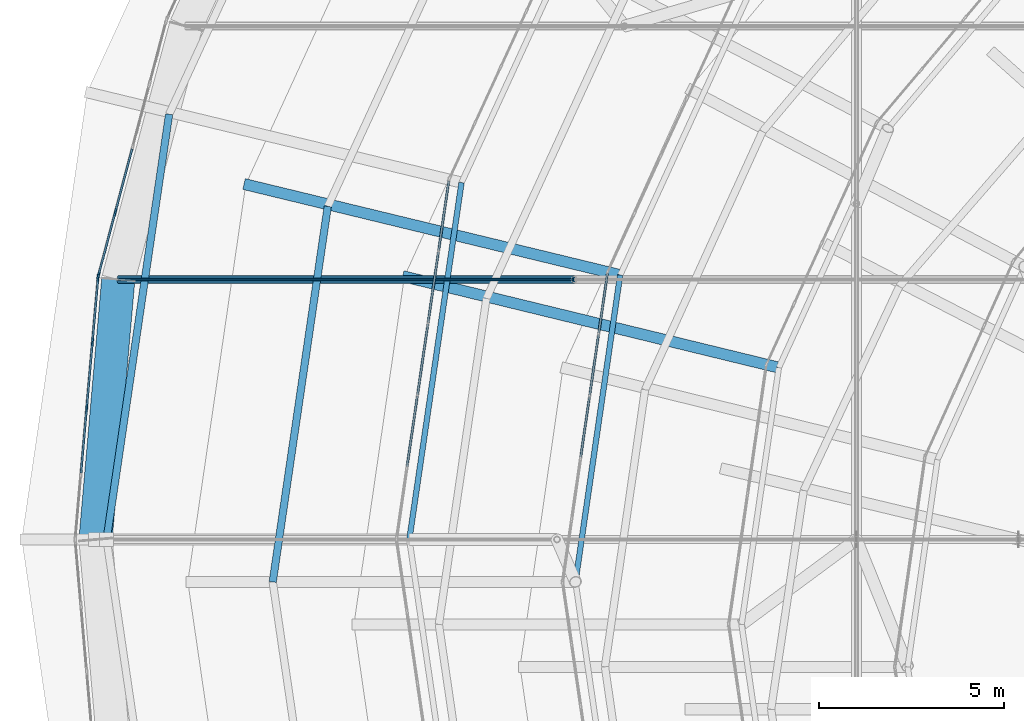
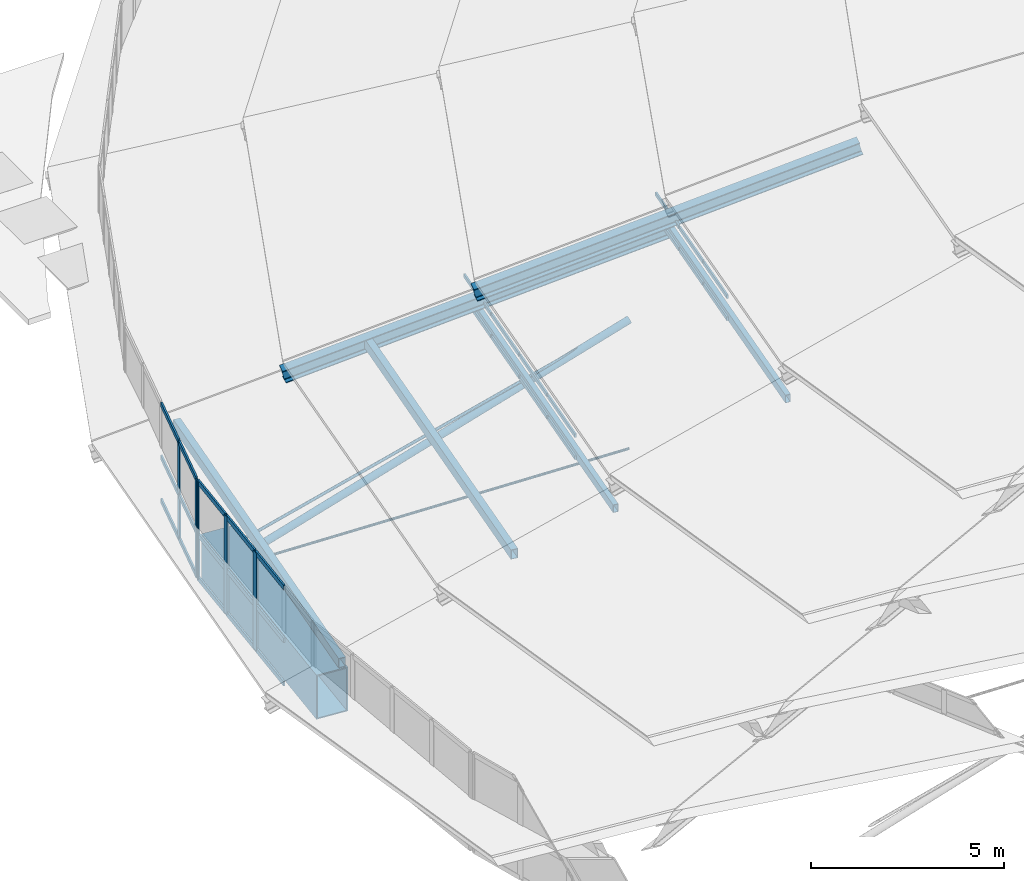
# One storey, part 42 of 173: 43 members, 1 beam, 4 elements without a shape of their own.
"""IFC4 building model written with IfcOpenShell, lengths in metres."""

from ifc_helpers import new_model, si_unit, direction, frame, origin, origin_2d, place, context, subcontext, project, spatial, rectangle, hollow_rectangle, circle, hollow_circle, i_section, extrude, material, material_profile, profile_set, type_object, element, aggregate, save


model = new_model("IFC4")

# Units and contexts
model_context = context("Model", 3, precision=1e-05, world=origin(), true_north=direction((0.0, 1.0)))
body_context = subcontext(model_context, "Body", "Model", "MODEL_VIEW")
ifc_project = project(units=[si_unit("LENGTHUNIT", "METRE"), si_unit("AREAUNIT", "SQUARE_METRE"), si_unit("VOLUMEUNIT", "CUBIC_METRE"), si_unit("PLANEANGLEUNIT", "RADIAN"), si_unit("MASSUNIT", "GRAM", prefix="KILO")], contexts=[model_context])

# Site, building, storey
site_placement = place(None, origin())
site = spatial("IfcSite", under=ifc_project, at=site_placement, CompositionType="ELEMENT")
building_placement = place(site_placement, origin())
building = spatial("IfcBuilding", under=site, at=building_placement, Name="Glasvene Arena", CompositionType="ELEMENT")
storey_placement = place(building_placement, frame((0.0, 0.0, 28.800048828125)))
storey = spatial("IfcBuildingStorey", under=building, at=storey_placement, Name="RF", CompositionType="ELEMENT", Elevation=28.800048828125)

# Beam
ifc_material_1 = material(Name="Steel S355J2", Category="steel")
ifc_material_profile_1 = material_profile(ifc_material_1, hollow_rectangle(XDim=0.89990234375, YDim=1.39990234375, WallThickness=0.034912109375, at=origin_2d()), Name="WBOX 900x1400x35")
ifc_profile_set_1 = profile_set([ifc_material_profile_1], Name="Steel S355J2")
beam_type = type_object("IfcBeamType", Name="BM-RING-BOX1400", PredefinedType="USERDEFINED", material=ifc_profile_set_1)
beam_placement = place(storey_placement, frame((42.615478515625, 80.03955078125, -0.699951171875), z_axis=(-0.087099233317, -0.996199640411, 0.0), x_axis=(0.996199640411, -0.087099233317, 0.0)))
element("IfcBeam", 1, at=beam_placement, inside=storey, type_object=beam_type, Name="Compression ring beam chord RB-20", ObjectType="RING BEAM", PredefinedType="USERDEFINED", context=body_context, shape_type="SweptSolid", body=[
    extrude(hollow_rectangle(XDim=0.89990234375, YDim=1.39990234375, WallThickness=0.034912109375, at=origin_2d()), origin(), (0.0, 0.0, 1.0), 7.06640625),
])

# Curtain wall, members
ifc_material_2 = material(Name="Low-emissivity laminated double glazing", Category="glass")
curtain_wall_type_1 = type_object("IfcCurtainWallType", Name="CW-DRUM-719x310", PredefinedType="USERDEFINED", material=ifc_material_2)
curtain_wall_1_placement = place(storey_placement, frame((43.924072265625, 87.07568359375, 0.0)))
curtain_wall_1 = element("IfcCurtainWall", 2, at=curtain_wall_1_placement, inside=storey, type_object=curtain_wall_type_1, Name="Crown compression-ring fascia curtain wall 19", ObjectType="CURTAIN WALL", PredefinedType="USERDEFINED")
ifc_material_3 = material(Name="Anodised architectural aluminium", Category="aluminium")
ifc_material_profile_2 = material_profile(ifc_material_3, rectangle(XDim=0.050048828125, YDim=0.199951171875, at=origin_2d()), Name="ALU MULLION 50x200")
ifc_profile_set_2 = profile_set([ifc_material_profile_2], Name="Anodised architectural aluminium")
member_type_1 = type_object("IfcMemberType", Name="CW-MUL-180", PredefinedType="MULLION", material=ifc_profile_set_2)
member_1_placement = place(storey_placement, frame((42.535400390625, 81.863037109375, -1.380126953125), z_axis=(0.0, 0.0, 1.0), x_axis=(0.966292374807, -0.257447172039, 0.0)))
member_1 = element("IfcMember", 3, at=member_1_placement, type_object=member_type_1, Name="CW-072 mullion 4", PredefinedType="MULLION", context=body_context, shape_type="SweptSolid", body=[
    extrude(rectangle(XDim=0.050048828125, YDim=0.199951171875, at=origin_2d()), origin(), (0.0, 0.0, 1.0), 3.10009765625),
])
member_2_placement = place(storey_placement, frame((42.078857421875, 80.149658203125, -1.380126953125), z_axis=(0.0, 0.0, 1.0), x_axis=(0.966292374807, -0.257447172039, 0.0)))
member_2 = element("IfcMember", 4, at=member_2_placement, type_object=member_type_1, Name="CW-072 mullion 5", PredefinedType="MULLION", context=body_context, shape_type="SweptSolid", body=[
    extrude(rectangle(XDim=0.050048828125, YDim=0.199951171875, at=origin_2d()), origin(), (0.0, 0.0, 1.0), 3.10009765625),
])

curtain_wall_type_2 = type_object("IfcCurtainWallType", Name="CW-DRUM-715x310", PredefinedType="USERDEFINED", material=ifc_material_2)
curtain_wall_2_placement = place(storey_placement, frame((42.072509765625, 80.12548828125, 0.0)))
curtain_wall_2 = element("IfcCurtainWall", 5, at=curtain_wall_2_placement, inside=storey, type_object=curtain_wall_type_2, Name="Crown compression-ring fascia curtain wall 20", ObjectType="CURTAIN WALL", PredefinedType="USERDEFINED")
member_3_placement = place(storey_placement, frame((42.0703125, 80.1005859375, -1.380126953125), z_axis=(0.0, 0.0, 1.0), x_axis=(0.996206938771, -0.0870157178, 0.0)))
member_3 = element("IfcMember", 6, at=member_3_placement, type_object=member_type_1, Name="CW-071 mullion 1", PredefinedType="MULLION", context=body_context, shape_type="SweptSolid", body=[
    extrude(rectangle(XDim=0.050048828125, YDim=0.199951171875, at=origin_2d()), origin(), (0.0, 0.0, 1.0), 3.10009765625),
])
member_4_placement = place(storey_placement, frame((41.916748046875, 78.34423828125, -1.380126953125), z_axis=(0.0, 0.0, 1.0), x_axis=(0.996206938771, -0.0870157178, 0.0)))
member_4 = element("IfcMember", 7, at=member_4_placement, type_object=member_type_1, Name="CW-071 mullion 2", PredefinedType="MULLION", context=body_context, shape_type="SweptSolid", body=[
    extrude(rectangle(XDim=0.050048828125, YDim=0.199951171875, at=origin_2d()), origin(), (0.0, 0.0, 1.0), 3.10009765625),
])
member_5_placement = place(storey_placement, frame((41.76123046875, 76.562744140625, -1.380126953125), z_axis=(0.0, 0.0, 1.0), x_axis=(0.996206938771, -0.0870157178, 0.0)))
member_5 = element("IfcMember", 8, at=member_5_placement, type_object=member_type_1, Name="CW-071 mullion 3", PredefinedType="MULLION", context=body_context, shape_type="SweptSolid", body=[
    extrude(rectangle(XDim=0.050048828125, YDim=0.199951171875, at=origin_2d()), origin(), (0.0, 0.0, 1.0), 3.10009765625),
])

curtain_wall_type_3 = type_object("IfcCurtainWallType", Name="CW-PET1-986x75", PredefinedType="USERDEFINED", material=ifc_material_2)
curtain_wall_3_placement = place(storey_placement, frame((51.575927734375, 82.757568359375, 0.0)))
curtain_wall_3 = element("IfcCurtainWall", 9, at=curtain_wall_3_placement, inside=storey, type_object=curtain_wall_type_3, Name="Petal ring 1-2 clerestory curtain wall 12", ObjectType="CURTAIN WALL", PredefinedType="USERDEFINED")
ifc_material_profile_3 = material_profile(ifc_material_3, rectangle(XDim=0.050048828125, YDim=0.1201171875, at=origin_2d()), Name="ALU TRANSOM 50x120")
ifc_profile_set_3 = profile_set([ifc_material_profile_3], Name="Anodised architectural aluminium")
member_type_2 = type_object("IfcMemberType", Name="CW-TRN-120", PredefinedType="USERDEFINED", material=ifc_profile_set_3)
member_6_placement = place(storey_placement, frame((51.56884765625, 82.7080078125, 2.60498046875), z_axis=(-0.144645532011, -0.989483537038, 0.0), x_axis=(0.989483537038, -0.144645532011, 0.0)))
member_6 = element("IfcMember", 10, at=member_6_placement, type_object=member_type_2, Name="CW-081 transom 1.1", ObjectType="TRANSOM", PredefinedType="USERDEFINED", context=body_context, shape_type="SweptSolid", body=[
    extrude(rectangle(XDim=0.050048828125, YDim=0.1201171875, at=origin_2d()), origin(), (0.0, 0.0, 1.0), 1.897216796875),
])
member_7_placement = place(storey_placement, frame((51.56884765625, 82.7080078125, 3.304931640625), z_axis=(-0.144645532011, -0.989483537038, 0.0), x_axis=(0.989483537038, -0.144645532011, 0.0)))
member_7 = element("IfcMember", 11, at=member_7_placement, type_object=member_type_2, Name="CW-081 transom 1.2", ObjectType="TRANSOM", PredefinedType="USERDEFINED", context=body_context, shape_type="SweptSolid", body=[
    extrude(rectangle(XDim=0.050048828125, YDim=0.1201171875, at=origin_2d()), origin(), (0.0, 0.0, 1.0), 1.897216796875),
])
member_8_placement = place(storey_placement, frame((51.287109375, 80.78125, 2.60498046875), z_axis=(-0.144532293107, -0.989500084007, 0.0), x_axis=(0.989500084007, -0.144532293107, 0.0)))
member_8 = element("IfcMember", 12, at=member_8_placement, type_object=member_type_2, Name="CW-081 transom 2.1", ObjectType="TRANSOM", PredefinedType="USERDEFINED", context=body_context, shape_type="SweptSolid", body=[
    extrude(rectangle(XDim=0.050048828125, YDim=0.1201171875, at=origin_2d()), origin(), (0.0, 0.0, 1.0), 1.92236328125),
])
member_9_placement = place(storey_placement, frame((51.287109375, 80.78125, 3.304931640625), z_axis=(-0.144532293107, -0.989500084007, 0.0), x_axis=(0.989500084007, -0.144532293107, 0.0)))
member_9 = element("IfcMember", 13, at=member_9_placement, type_object=member_type_2, Name="CW-081 transom 2.2", ObjectType="TRANSOM", PredefinedType="USERDEFINED", context=body_context, shape_type="SweptSolid", body=[
    extrude(rectangle(XDim=0.050048828125, YDim=0.1201171875, at=origin_2d()), origin(), (0.0, 0.0, 1.0), 1.92236328125),
])
member_10_placement = place(storey_placement, frame((51.001953125, 78.829833984375, 2.60498046875), z_axis=(-0.144532293107, -0.989500084007, 0.0), x_axis=(0.989500084007, -0.144532293107, 0.0)))
member_10 = element("IfcMember", 14, at=member_10_placement, type_object=member_type_2, Name="CW-081 transom 3.1", ObjectType="TRANSOM", PredefinedType="USERDEFINED", context=body_context, shape_type="SweptSolid", body=[
    extrude(rectangle(XDim=0.050048828125, YDim=0.1201171875, at=origin_2d()), origin(), (0.0, 0.0, 1.0), 1.92236328125),
])
member_11_placement = place(storey_placement, frame((51.001953125, 78.829833984375, 3.304931640625), z_axis=(-0.144532293107, -0.989500084007, 0.0), x_axis=(0.989500084007, -0.144532293107, 0.0)))
member_11 = element("IfcMember", 15, at=member_11_placement, type_object=member_type_2, Name="CW-081 transom 3.2", ObjectType="TRANSOM", PredefinedType="USERDEFINED", context=body_context, shape_type="SweptSolid", body=[
    extrude(rectangle(XDim=0.050048828125, YDim=0.1201171875, at=origin_2d()), origin(), (0.0, 0.0, 1.0), 1.92236328125),
])
member_12_placement = place(storey_placement, frame((50.716796875, 76.878173828125, 2.60498046875), z_axis=(-0.144674822999, -0.989479254755, 0.0), x_axis=(0.989479254755, -0.144674822999, 0.0)))
member_12 = element("IfcMember", 16, at=member_12_placement, type_object=member_type_2, Name="CW-081 transom 4.1", ObjectType="TRANSOM", PredefinedType="USERDEFINED", context=body_context, shape_type="SweptSolid", body=[
    extrude(rectangle(XDim=0.050048828125, YDim=0.1201171875, at=origin_2d()), origin(), (0.0, 0.0, 1.0), 1.922119140625),
])
member_13_placement = place(storey_placement, frame((50.716796875, 76.878173828125, 3.304931640625), z_axis=(-0.144674822999, -0.989479254755, 0.0), x_axis=(0.989479254755, -0.144674822999, 0.0)))
member_13 = element("IfcMember", 17, at=member_13_placement, type_object=member_type_2, Name="CW-081 transom 4.2", ObjectType="TRANSOM", PredefinedType="USERDEFINED", context=body_context, shape_type="SweptSolid", body=[
    extrude(rectangle(XDim=0.050048828125, YDim=0.1201171875, at=origin_2d()), origin(), (0.0, 0.0, 1.0), 1.922119140625),
])
aggregate(curtain_wall_3, [member_6, member_7, member_8, member_9, member_10, member_11, member_12, member_13])

curtain_wall_type_4 = type_object("IfcCurtainWallType", Name="CW-PET2-849x75", PredefinedType="USERDEFINED", material=ifc_material_2)
curtain_wall_4_placement = place(storey_placement, frame((55.873291015625, 80.248779296875, 0.0)))
curtain_wall_4 = element("IfcCurtainWall", 18, at=curtain_wall_4_placement, inside=storey, type_object=curtain_wall_type_4, Name="Petal ring 2-3 clerestory curtain wall 12", ObjectType="CURTAIN WALL", PredefinedType="USERDEFINED")
member_14_placement = place(storey_placement, frame((55.8662109375, 80.19921875, 5.204833984375), z_axis=(-0.144159545441, -0.989554458056, 0.0), x_axis=(0.989554458056, -0.144159545441, 0.0)))
member_14 = element("IfcMember", 19, at=member_14_placement, type_object=member_type_2, Name="CW-087 transom 1.1", ObjectType="TRANSOM", PredefinedType="USERDEFINED", context=body_context, shape_type="SweptSolid", body=[
    extrude(rectangle(XDim=0.050048828125, YDim=0.1201171875, at=origin_2d()), origin(), (0.0, 0.0, 1.0), 1.622314453125),
])
member_15_placement = place(storey_placement, frame((55.8662109375, 80.19921875, 5.905029296875), z_axis=(-0.144159545441, -0.989554458056, 0.0), x_axis=(0.989554458056, -0.144159545441, 0.0)))
member_15 = element("IfcMember", 20, at=member_15_placement, type_object=member_type_2, Name="CW-087 transom 1.2", ObjectType="TRANSOM", PredefinedType="USERDEFINED", context=body_context, shape_type="SweptSolid", body=[
    extrude(rectangle(XDim=0.050048828125, YDim=0.1201171875, at=origin_2d()), origin(), (0.0, 0.0, 1.0), 1.622314453125),
])
member_16_placement = place(storey_placement, frame((55.625, 78.544189453125, 5.204833984375), z_axis=(-0.144055952792, -0.989569544027, 0.0), x_axis=(0.989569544027, -0.144055952792, 0.0)))
member_16 = element("IfcMember", 21, at=member_16_placement, type_object=member_type_2, Name="CW-087 transom 2.1", ObjectType="TRANSOM", PredefinedType="USERDEFINED", context=body_context, shape_type="SweptSolid", body=[
    extrude(rectangle(XDim=0.050048828125, YDim=0.1201171875, at=origin_2d()), origin(), (0.0, 0.0, 1.0), 1.647216796875),
])
member_17_placement = place(storey_placement, frame((55.625, 78.544189453125, 5.905029296875), z_axis=(-0.144055952792, -0.989569544027, 0.0), x_axis=(0.989569544027, -0.144055952792, 0.0)))
member_17 = element("IfcMember", 22, at=member_17_placement, type_object=member_type_2, Name="CW-087 transom 2.2", ObjectType="TRANSOM", PredefinedType="USERDEFINED", context=body_context, shape_type="SweptSolid", body=[
    extrude(rectangle(XDim=0.050048828125, YDim=0.1201171875, at=origin_2d()), origin(), (0.0, 0.0, 1.0), 1.647216796875),
])
member_18_placement = place(storey_placement, frame((55.38037109375, 76.864501953125, 5.204833984375), z_axis=(-0.144179933735, -0.989551487649, 0.0), x_axis=(0.989551487649, -0.144179933735, 0.0)))
member_18 = element("IfcMember", 23, at=member_18_placement, type_object=member_type_2, Name="CW-087 transom 3.1", ObjectType="TRANSOM", PredefinedType="USERDEFINED", context=body_context, shape_type="SweptSolid", body=[
    extrude(rectangle(XDim=0.050048828125, YDim=0.1201171875, at=origin_2d()), origin(), (0.0, 0.0, 1.0), 1.647705078125),
])
member_19_placement = place(storey_placement, frame((55.38037109375, 76.864501953125, 5.905029296875), z_axis=(-0.144179933735, -0.989551487649, 0.0), x_axis=(0.989551487649, -0.144179933735, 0.0)))
member_19 = element("IfcMember", 24, at=member_19_placement, type_object=member_type_2, Name="CW-087 transom 3.2", ObjectType="TRANSOM", PredefinedType="USERDEFINED", context=body_context, shape_type="SweptSolid", body=[
    extrude(rectangle(XDim=0.050048828125, YDim=0.1201171875, at=origin_2d()), origin(), (0.0, 0.0, 1.0), 1.647705078125),
])
aggregate(curtain_wall_4, [member_14, member_15, member_16, member_17, member_18, member_19])

# Member
ifc_material_profile_4 = material_profile(ifc_material_3, rectangle(XDim=0.050048828125, YDim=0.14990234375, at=origin_2d()), Name="ALU TRANSOM 50x150")
ifc_profile_set_4 = profile_set([ifc_material_profile_4], Name="Anodised architectural aluminium")
member_type_3 = type_object("IfcMemberType", Name="CW-TRN-150", PredefinedType="USERDEFINED", material=ifc_profile_set_4)
member_20_placement = place(storey_placement, frame((42.99169921875, 83.576416015625, -1.35498046875), z_axis=(-0.257393172293, -0.966306760225, 0.0), x_axis=(0.966306760225, -0.257393172293, 0.0)))
member_20 = element("IfcMember", 25, at=member_20_placement, type_object=member_type_3, Name="CW-072 transom 3.1", ObjectType="TRANSOM", PredefinedType="USERDEFINED", context=body_context, shape_type="SweptSolid", body=[
    extrude(rectangle(XDim=0.050048828125, YDim=0.14990234375, at=origin_2d()), origin(), (0.0, 0.0, 1.0), 1.748046875),
])

member_21_placement = place(storey_placement, frame((42.99169921875, 83.576416015625, 0.02001953125), z_axis=(-0.257393172293, -0.966306760225, 0.0), x_axis=(0.966306760225, -0.257393172293, 0.0)))
member_21 = element("IfcMember", 26, at=member_21_placement, type_object=member_type_3, Name="CW-072 transom 3.2", ObjectType="TRANSOM", PredefinedType="USERDEFINED", context=body_context, shape_type="SweptSolid", body=[
    extrude(rectangle(XDim=0.050048828125, YDim=0.14990234375, at=origin_2d()), origin(), (0.0, 0.0, 1.0), 1.748046875),
])

member_22_placement = place(storey_placement, frame((42.99169921875, 83.576416015625, 1.695068359375), z_axis=(-0.257393172293, -0.966306760225, 0.0), x_axis=(0.966306760225, -0.257393172293, 0.0)))
member_22 = element("IfcMember", 27, at=member_22_placement, type_object=member_type_3, Name="CW-072 transom 3.3", ObjectType="TRANSOM", PredefinedType="USERDEFINED", context=body_context, shape_type="SweptSolid", body=[
    extrude(rectangle(XDim=0.050048828125, YDim=0.14990234375, at=origin_2d()), origin(), (0.0, 0.0, 1.0), 1.748046875),
])

member_23_placement = place(storey_placement, frame((42.52880859375, 81.8388671875, -1.35498046875), z_axis=(-0.257442179184, -0.966293705028, 0.0), x_axis=(0.966293705028, -0.257442179184, 0.0)))
member_23 = element("IfcMember", 28, at=member_23_placement, type_object=member_type_3, Name="CW-072 transom 4.1", ObjectType="TRANSOM", PredefinedType="USERDEFINED", context=body_context, shape_type="SweptSolid", body=[
    extrude(rectangle(XDim=0.050048828125, YDim=0.14990234375, at=origin_2d()), origin(), (0.0, 0.0, 1.0), 1.72314453125),
])

member_24_placement = place(storey_placement, frame((42.52880859375, 81.8388671875, 0.02001953125), z_axis=(-0.257442179184, -0.966293705028, 0.0), x_axis=(0.966293705028, -0.257442179184, 0.0)))
member_24 = element("IfcMember", 29, at=member_24_placement, type_object=member_type_3, Name="CW-072 transom 4.2", ObjectType="TRANSOM", PredefinedType="USERDEFINED", context=body_context, shape_type="SweptSolid", body=[
    extrude(rectangle(XDim=0.050048828125, YDim=0.14990234375, at=origin_2d()), origin(), (0.0, 0.0, 1.0), 1.72314453125),
])

member_25_placement = place(storey_placement, frame((42.52880859375, 81.8388671875, 1.695068359375), z_axis=(-0.257442179184, -0.966293705028, 0.0), x_axis=(0.966293705028, -0.257442179184, 0.0)))
member_25 = element("IfcMember", 30, at=member_25_placement, type_object=member_type_3, Name="CW-072 transom 4.3", ObjectType="TRANSOM", PredefinedType="USERDEFINED", context=body_context, shape_type="SweptSolid", body=[
    extrude(rectangle(XDim=0.050048828125, YDim=0.14990234375, at=origin_2d()), origin(), (0.0, 0.0, 1.0), 1.72314453125),
])

aggregate(curtain_wall_1, [member_1, member_2, member_20, member_21, member_22, member_23, member_24, member_25])

member_26_placement = place(storey_placement, frame((42.068115234375, 80.07568359375, -1.35498046875), z_axis=(-0.087078552921, -0.996201448313, 0.0), x_axis=(0.996201448313, -0.087078552921, 0.0)))
member_26 = element("IfcMember", 31, at=member_26_placement, type_object=member_type_3, Name="CW-071 transom 1.1", ObjectType="TRANSOM", PredefinedType="USERDEFINED", context=body_context, shape_type="SweptSolid", body=[
    extrude(rectangle(XDim=0.050048828125, YDim=0.14990234375, at=origin_2d()), origin(), (0.0, 0.0, 1.0), 1.713134765625),
])

member_27_placement = place(storey_placement, frame((42.068115234375, 80.07568359375, 0.02001953125), z_axis=(-0.087078552921, -0.996201448313, 0.0), x_axis=(0.996201448313, -0.087078552921, 0.0)))
member_27 = element("IfcMember", 32, at=member_27_placement, type_object=member_type_3, Name="CW-071 transom 1.2", ObjectType="TRANSOM", PredefinedType="USERDEFINED", context=body_context, shape_type="SweptSolid", body=[
    extrude(rectangle(XDim=0.050048828125, YDim=0.14990234375, at=origin_2d()), origin(), (0.0, 0.0, 1.0), 1.713134765625),
])

member_28_placement = place(storey_placement, frame((42.068115234375, 80.07568359375, 1.695068359375), z_axis=(-0.087078552921, -0.996201448313, 0.0), x_axis=(0.996201448313, -0.087078552921, 0.0)))
member_28 = element("IfcMember", 33, at=member_28_placement, type_object=member_type_3, Name="CW-071 transom 1.3", ObjectType="TRANSOM", PredefinedType="USERDEFINED", context=body_context, shape_type="SweptSolid", body=[
    extrude(rectangle(XDim=0.050048828125, YDim=0.14990234375, at=origin_2d()), origin(), (0.0, 0.0, 1.0), 1.713134765625),
])

member_29_placement = place(storey_placement, frame((41.91455078125, 78.3193359375, -1.35498046875), z_axis=(-0.086938708161, -0.996213662335, 0.0), x_axis=(0.996213662335, -0.086938708161, 0.0)))
member_29 = element("IfcMember", 34, at=member_29_placement, type_object=member_type_3, Name="CW-071 transom 2.1", ObjectType="TRANSOM", PredefinedType="USERDEFINED", context=body_context, shape_type="SweptSolid", body=[
    extrude(rectangle(XDim=0.050048828125, YDim=0.14990234375, at=origin_2d()), origin(), (0.0, 0.0, 1.0), 1.73828125),
])

member_30_placement = place(storey_placement, frame((41.91455078125, 78.3193359375, 0.02001953125), z_axis=(-0.086938708161, -0.996213662335, 0.0), x_axis=(0.996213662335, -0.086938708161, 0.0)))
member_30 = element("IfcMember", 35, at=member_30_placement, type_object=member_type_3, Name="CW-071 transom 2.2", ObjectType="TRANSOM", PredefinedType="USERDEFINED", context=body_context, shape_type="SweptSolid", body=[
    extrude(rectangle(XDim=0.050048828125, YDim=0.14990234375, at=origin_2d()), origin(), (0.0, 0.0, 1.0), 1.73828125),
])

member_31_placement = place(storey_placement, frame((41.91455078125, 78.3193359375, 1.695068359375), z_axis=(-0.086938708161, -0.996213662335, 0.0), x_axis=(0.996213662335, -0.086938708161, 0.0)))
member_31 = element("IfcMember", 36, at=member_31_placement, type_object=member_type_3, Name="CW-071 transom 2.3", ObjectType="TRANSOM", PredefinedType="USERDEFINED", context=body_context, shape_type="SweptSolid", body=[
    extrude(rectangle(XDim=0.050048828125, YDim=0.14990234375, at=origin_2d()), origin(), (0.0, 0.0, 1.0), 1.73828125),
])

member_32_placement = place(storey_placement, frame((41.759033203125, 76.537841796875, -1.35498046875), z_axis=(-0.087090279525, -0.996200423214, 0.0), x_axis=(0.996200423214, -0.087090279525, 0.0)))
member_32 = element("IfcMember", 37, at=member_32_placement, type_object=member_type_3, Name="CW-071 transom 3.1", ObjectType="TRANSOM", PredefinedType="USERDEFINED", context=body_context, shape_type="SweptSolid", body=[
    extrude(rectangle(XDim=0.050048828125, YDim=0.14990234375, at=origin_2d()), origin(), (0.0, 0.0, 1.0), 1.738037109375),
])

member_33_placement = place(storey_placement, frame((41.759033203125, 76.537841796875, 0.02001953125), z_axis=(-0.087090279525, -0.996200423214, 0.0), x_axis=(0.996200423214, -0.087090279525, 0.0)))
member_33 = element("IfcMember", 38, at=member_33_placement, type_object=member_type_3, Name="CW-071 transom 3.2", ObjectType="TRANSOM", PredefinedType="USERDEFINED", context=body_context, shape_type="SweptSolid", body=[
    extrude(rectangle(XDim=0.050048828125, YDim=0.14990234375, at=origin_2d()), origin(), (0.0, 0.0, 1.0), 1.738037109375),
])

member_34_placement = place(storey_placement, frame((41.759033203125, 76.537841796875, 1.695068359375), z_axis=(-0.087090279525, -0.996200423214, 0.0), x_axis=(0.996200423214, -0.087090279525, 0.0)))
member_34 = element("IfcMember", 39, at=member_34_placement, type_object=member_type_3, Name="CW-071 transom 3.3", ObjectType="TRANSOM", PredefinedType="USERDEFINED", context=body_context, shape_type="SweptSolid", body=[
    extrude(rectangle(XDim=0.050048828125, YDim=0.14990234375, at=origin_2d()), origin(), (0.0, 0.0, 1.0), 1.738037109375),
])

aggregate(curtain_wall_2, [member_3, member_4, member_5, member_26, member_27, member_28, member_29, member_30, member_31, member_32, member_33, member_34])

# Members
ifc_material_4 = material(Name="High-strength steel spiral strand S460", Category="steel")
ifc_material_profile_5 = material_profile(ifc_material_4, circle(Radius=0.03759765625, at=origin_2d()), Name="LCSS D75")
ifc_profile_set_5 = profile_set([ifc_material_profile_5], Name="High-strength steel spiral strand S460")
member_type_4 = type_object("IfcMemberType", Name="MB-CABLE-75", PredefinedType="USERDEFINED", material=ifc_profile_set_5)
member_35_placement = place(storey_placement, frame((42.615478515625, 80.03955078125, -1.320068359375), z_axis=(0.999385261069, 0.0, -0.035058521913), x_axis=(0.0, 1.0, 0.0)))
element("IfcMember", 40, at=member_35_placement, inside=storey, type_object=member_type_4, Name="Lower stabilization roof cable EW05-01", ObjectType="ROOF CABLE", PredefinedType="USERDEFINED", context=body_context, shape_type="SweptSolid", body=[
    extrude(circle(Radius=0.03759765625, at=origin_2d()), origin(), (0.0, 0.0, 1.0), 12.353759765625),
])
ifc_material_profile_6 = material_profile(ifc_material_4, circle(Radius=0.044921875, at=origin_2d()), Name="LCSS D90")
ifc_profile_set_6 = profile_set([ifc_material_profile_6], Name="High-strength steel spiral strand S460")
member_type_5 = type_object("IfcMemberType", Name="MB-CABLE-90", PredefinedType="USERDEFINED", material=ifc_profile_set_6)
member_36_placement = place(storey_placement, frame((42.615478515625, 80.03955078125, -0.780029296875), z_axis=(0.96972824752, 0.0, 0.24418666213), x_axis=(0.0, 1.0, 0.0)))
element("IfcMember", 41, at=member_36_placement, inside=storey, type_object=member_type_5, Name="Upper lens roof cable EW05-01", ObjectType="ROOF CABLE", PredefinedType="USERDEFINED", context=body_context, shape_type="SweptSolid", body=[
    extrude(circle(Radius=0.044921875, at=origin_2d()), origin(), (0.0, 0.0, 1.0), 12.731689453125),
])
ifc_material_profile_7 = material_profile(ifc_material_1, i_section(OverallWidth=0.300048828125, OverallDepth=0.39990234375, WebThickness=0.013427734375, FlangeThickness=0.02392578125, FilletRadius=0.027099609375, at=origin_2d()), Name="HEB 400")
ifc_profile_set_7 = profile_set([ifc_material_profile_7], Name="Steel S355J2")
member_type_6 = type_object("IfcMemberType", Name="MB-CHORD-HEB400", PredefinedType="CHORD", material=ifc_profile_set_7)
member_37_placement = place(storey_placement, frame((46.069091796875, 82.616943359375, 2.14990234375), z_axis=(0.944146379395, -0.228547879043, 0.237388881921), x_axis=(0.235273235128, 0.97192926946, 0.0)))
element("IfcMember", 42, at=member_37_placement, inside=storey, type_object=member_type_6, Name="Petal ring 2 radial rib 12", PredefinedType="CHORD", context=body_context, shape_type="SweptSolid", body=[
    extrude(i_section(OverallWidth=0.300048828125, OverallDepth=0.39990234375, WebThickness=0.013427734375, FlangeThickness=0.02392578125, FilletRadius=0.027099609375, at=origin_2d()), origin(), (0.0, 0.0, 1.0), 10.7421875),
])
member_38_placement = place(storey_placement, frame((50.366455078125, 80.12109375, 4.75), z_axis=(0.942863727983, -0.229326828452, 0.241696496059), x_axis=(0.236333673575, 0.971671958397, 0.0)))
element("IfcMember", 43, at=member_38_placement, inside=storey, type_object=member_type_6, Name="Petal ring 3 radial rib 12", PredefinedType="CHORD", context=body_context, shape_type="SweptSolid", body=[
    extrude(i_section(OverallWidth=0.300048828125, OverallDepth=0.39990234375, WebThickness=0.013427734375, FlangeThickness=0.02392578125, FilletRadius=0.027099609375, at=origin_2d()), origin(), (0.0, 0.0, 1.0), 10.756591796875),
])
ifc_material_profile_8 = material_profile(ifc_material_1, hollow_rectangle(XDim=0.14990234375, YDim=0.25, WallThickness=0.010009765625, at=origin_2d()), Name="RHS 250x150x10.0")
ifc_profile_set_8 = profile_set([ifc_material_profile_8], Name="Steel S355J2")
member_type_7 = type_object("IfcMemberType", Name="MB-PURLIN-RHS250", PredefinedType="PURLIN", material=ifc_profile_set_8)
member_39_placement = place(storey_placement, frame((51.9140625, 82.6669921875, 2.181884765625), z_axis=(-0.14473712176, -0.989470143857, 0.0), x_axis=(0.989470143857, -0.14473712176, 0.0)))
element("IfcMember", 44, at=member_39_placement, inside=storey, type_object=member_type_7, Name="Petal ring 1 ridge purlin 12", PredefinedType="PURLIN", context=body_context, shape_type="SweptSolid", body=[
    extrude(hollow_rectangle(XDim=0.14990234375, YDim=0.25, WallThickness=0.010009765625, at=origin_2d()), origin(), (0.0, 0.0, 1.0), 9.769775390625),
])
member_40_placement = place(storey_placement, frame((56.211181640625, 80.161865234375, 4.781982421875), z_axis=(-0.144196014278, -0.989549144543, 0.0), x_axis=(0.989549144543, -0.144196014278, 0.0)))
element("IfcMember", 45, at=member_40_placement, inside=storey, type_object=member_type_7, Name="Petal ring 2 ridge purlin 12", PredefinedType="PURLIN", context=body_context, shape_type="SweptSolid", body=[
    extrude(hollow_rectangle(XDim=0.14990234375, YDim=0.25, WallThickness=0.010009765625, at=origin_2d()), origin(), (0.0, 0.0, 1.0), 8.399658203125),
])
ifc_material_profile_9 = material_profile(ifc_material_1, hollow_rectangle(XDim=0.199951171875, YDim=0.300048828125, WallThickness=0.012451171875, at=origin_2d()), Name="RHS 300x200x12.5")
ifc_profile_set_9 = profile_set([ifc_material_profile_9], Name="Steel S355J2")
member_type_8 = type_object("IfcMemberType", Name="MB-PURLIN-RHS300", PredefinedType="PURLIN", material=ifc_profile_set_9)
member_41_placement = place(storey_placement, frame((43.993408203125, 84.517333984375, 0.16748046875), z_axis=(-0.145463198045, -0.989363663177, 0.0), x_axis=(0.989363663177, -0.145463198045, 0.0)))
element("IfcMember", 46, at=member_41_placement, inside=storey, type_object=member_type_8, Name="Petal ring 1 outer purlin 12", PredefinedType="PURLIN", context=body_context, shape_type="SweptSolid", body=[
    extrude(hollow_rectangle(XDim=0.199951171875, YDim=0.300048828125, WallThickness=0.012451171875, at=origin_2d()), origin(), (0.0, 0.0, 1.0), 11.64111328125),
])
member_42_placement = place(storey_placement, frame((48.290771484375, 82.021484375, 2.728515625), z_axis=(-0.145011271641, -0.989430003132, 0.0), x_axis=(0.989430003132, -0.145011271641, 0.0)))
element("IfcMember", 47, at=member_42_placement, inside=storey, type_object=member_type_8, Name="Petal ring 2 outer purlin 12", PredefinedType="PURLIN", context=body_context, shape_type="SweptSolid", body=[
    extrude(hollow_rectangle(XDim=0.199951171875, YDim=0.300048828125, WallThickness=0.012451171875, at=origin_2d()), origin(), (0.0, 0.0, 1.0), 10.280029296875),
])
ifc_material_profile_10 = material_profile(ifc_material_1, hollow_circle(Radius=0.109619140625, WallThickness=0.010009765625, at=origin_2d()), Name="CHS 219.1x10.0")
ifc_profile_set_10 = profile_set([ifc_material_profile_10], Name="Steel S355J2")
member_type_9 = type_object("IfcMemberType", Name="MB-WEB-CHS219", PredefinedType="BRACE", material=ifc_profile_set_10)
member_43_placement = place(storey_placement, frame((42.615478515625, 80.03955078125, -1.320068359375), z_axis=(0.958992641637, 0.0, 0.28343096741), x_axis=(0.0, 1.0, 0.0)))
element("IfcMember", 48, at=member_43_placement, inside=storey, type_object=member_type_9, Name="Cable-truss diagonal web strut EW05-01", PredefinedType="BRACE", context=body_context, shape_type="SweptSolid", body=[
    extrude(hollow_circle(Radius=0.109619140625, WallThickness=0.010009765625, at=origin_2d()), origin(), (0.0, 0.0, 1.0), 12.8740234375),
])

save(model, "model.ifc")
